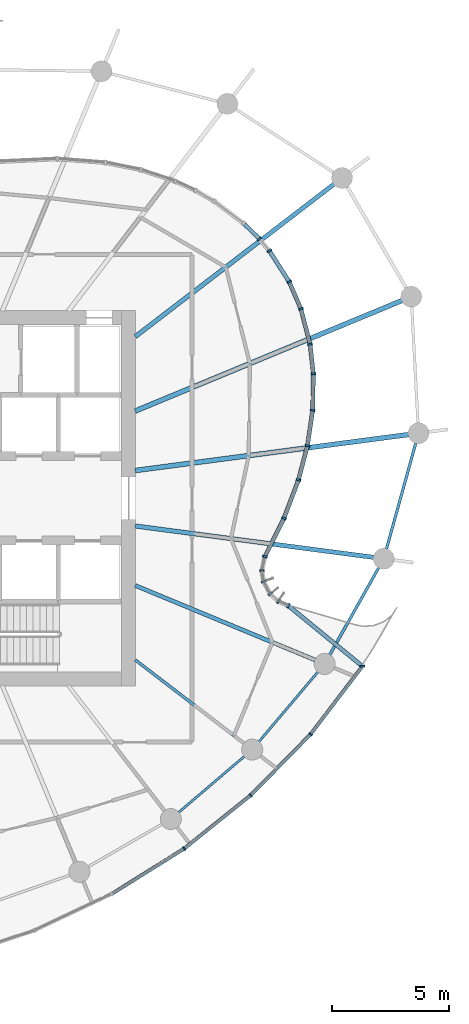
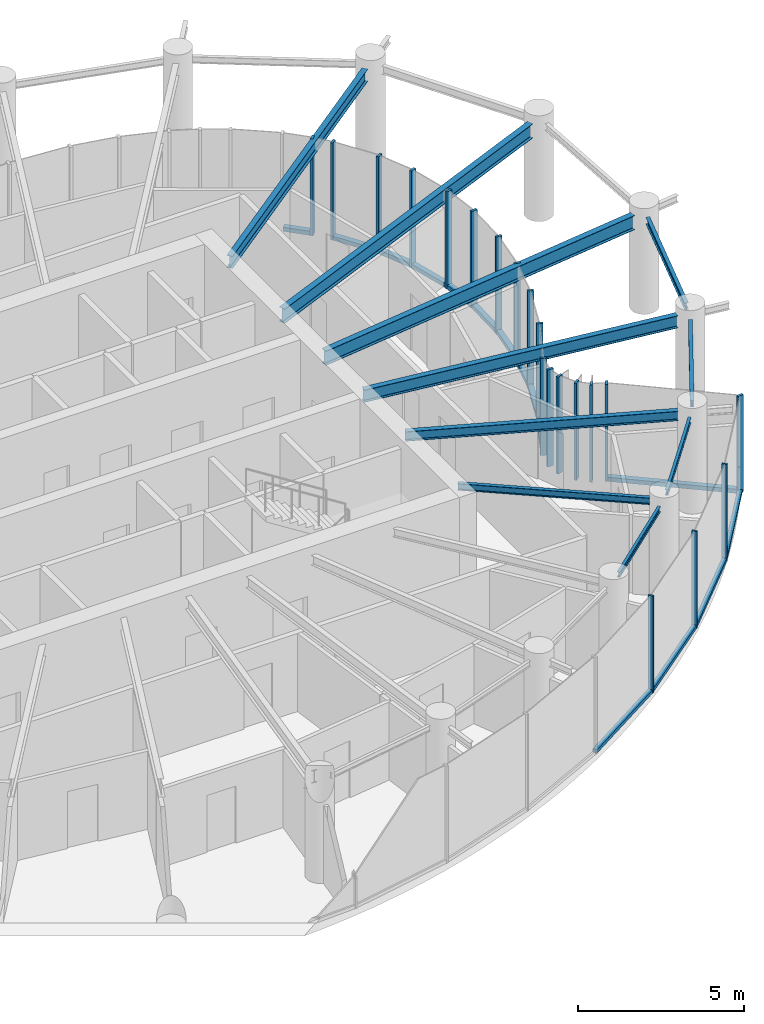
# One storey, part 5 of 17: 35 members, 10 beams, 5 elements without a shape of their own.
"""IFC4 building model written with IfcOpenShell, lengths in metres."""

from ifc_helpers import new_model, si_unit, direction, frame, origin, origin_2d, place, context, subcontext, project, spatial, rectangle, i_section, extrude, source, transform, mapped, material, layer, layer_set, material_profile, profile_set, type_object, element, aggregate, save


model = new_model("IFC4")

# Units and contexts
model_context = context("Model", 3, precision=1e-05, world=origin(), true_north=direction((0.0, 1.0)))
body_context = subcontext(model_context, "Body", "Model", "MODEL_VIEW")
ifc_project = project(units=[si_unit("LENGTHUNIT", "METRE"), si_unit("AREAUNIT", "SQUARE_METRE"), si_unit("VOLUMEUNIT", "CUBIC_METRE"), si_unit("PLANEANGLEUNIT", "RADIAN"), si_unit("MASSUNIT", "GRAM", prefix="KILO")], contexts=[model_context])

# Site, building, storey
site_placement = place(None, origin())
site = spatial("IfcSite", under=ifc_project, at=site_placement, CompositionType="ELEMENT")
building_placement = place(site_placement, origin())
building = spatial("IfcBuilding", under=site, at=building_placement, Name="Spindrift Exchange Tower", CompositionType="ELEMENT")
storey_placement = place(building_placement, frame((0.0, 0.0, 187.699951171875)))
storey = spatial("IfcBuildingStorey", under=building, at=storey_placement, Name="L45", CompositionType="ELEMENT", Elevation=187.699951171875)

# Beams
ifc_material_1 = material(Name="Steel Grade 300", Category="steel")
ifc_material_profile_1 = material_profile(ifc_material_1, i_section(OverallWidth=0.208984375, OverallDepth=0.528076171875, WebThickness=0.009521484375, FlangeThickness=0.01318359375, FilletRadius=0.013916015625, at=origin_2d()), Name="530UB82.0")
ifc_profile_set_1 = profile_set([ifc_material_profile_1], Name="Steel Grade 300")
beam_type_1 = type_object("IfcBeamType", Name="Floor Beam 530UB82.0 Steel Grade 300", PredefinedType="BEAM", material=ifc_profile_set_1)
shared_shape_1 = source(origin(), body_context, "Body", "SweptSolid", [
    extrude(i_section(OverallWidth=0.208984375, OverallDepth=0.528076171875, WebThickness=0.009521484375, FlangeThickness=0.01318359375, FilletRadius=0.013916015625, at=origin_2d()), origin(), (0.0, 0.0, 1.0), 11.75634765625),
])
beam_1_placement = place(storey_placement, frame((60.980224609375, 49.182373046875, 3.316162109375), z_axis=(0.991445811455, 0.13051897543, 0.0), x_axis=(-0.13051897543, 0.991445811455, 0.0)))
element("IfcBeam", 1, at=beam_1_placement, inside=storey, type_object=beam_type_1, Name="L45 radial beam R01A", PredefinedType="BEAM", context=body_context, shape_type="MappedRepresentation", body=[
    mapped(shared_shape_1, transform((0.0, 0.0, 0.0), scale=1.0)),
])
shared_shape_2 = source(origin(), body_context, "Body", "SweptSolid", [
    extrude(i_section(OverallWidth=0.208984375, OverallDepth=0.528076171875, WebThickness=0.009521484375, FlangeThickness=0.01318359375, FilletRadius=0.013916015625, at=origin_2d()), origin(), (0.0, 0.0, 1.0), 12.3115234375),
])
beam_2_placement = place(storey_placement, frame((60.9814453125, 51.72021484375, 3.316162109375), z_axis=(0.923878099838, 0.382686891126, 0.0), x_axis=(-0.382686891126, 0.923878099838, 0.0)))
element("IfcBeam", 2, at=beam_2_placement, inside=storey, type_object=beam_type_1, Name="L45 radial beam R02A", PredefinedType="BEAM", context=body_context, shape_type="MappedRepresentation", body=[
    mapped(shared_shape_2, transform((0.0, 0.0, 0.0), scale=1.0)),
])
ifc_material_profile_2 = material_profile(ifc_material_1, i_section(OverallWidth=0.18994140625, OverallDepth=0.4541015625, WebThickness=0.008544921875, FlangeThickness=0.0126953125, FilletRadius=0.013916015625, at=origin_2d()), Name="460UB67.1")
ifc_profile_set_2 = profile_set([ifc_material_profile_2], Name="Steel Grade 300")
beam_type_2 = type_object("IfcBeamType", Name="Floor Beam 460UB67.1 Steel Grade 300", PredefinedType="BEAM", material=ifc_profile_set_2)
shared_shape_3 = source(origin(), body_context, "Body", "SweptSolid", [
    extrude(i_section(OverallWidth=0.18994140625, OverallDepth=0.4541015625, WebThickness=0.008544921875, FlangeThickness=0.0126953125, FilletRadius=0.013916015625, at=origin_2d()), origin(), (0.0, 0.0, 1.0), 10.684814453125),
])
beam_3_placement = place(storey_placement, frame((60.984130859375, 54.893798828125, 3.35302734375), z_axis=(0.793357316898, 0.608756246559, 0.0), x_axis=(-0.608756246559, 0.793357316898, 0.0)))
element("IfcBeam", 3, at=beam_3_placement, inside=storey, type_object=beam_type_2, Name="L45 radial beam R03A", PredefinedType="BEAM", context=body_context, shape_type="MappedRepresentation", body=[
    mapped(shared_shape_3, transform((0.0, 0.0, 0.0), scale=1.0)),
])
ifc_material_profile_3 = material_profile(ifc_material_1, i_section(OverallWidth=0.1240234375, OverallDepth=0.248046875, WebThickness=0.0048828125, FlangeThickness=0.008056640625, FilletRadius=0.011962890625, at=origin_2d()), Name="250UB25.7")
ifc_profile_set_3 = profile_set([ifc_material_profile_3], Name="Steel Grade 300")
beam_type_3 = type_object("IfcBeamType", Name="Floor Beam 250UB25.7 Steel Grade 300", PredefinedType="BEAM", material=ifc_profile_set_3)
shared_shape_4 = source(origin(), body_context, "Body", "SweptSolid", [
    extrude(i_section(OverallWidth=0.1240234375, OverallDepth=0.248046875, WebThickness=0.0048828125, FlangeThickness=0.008056640625, FilletRadius=0.011962890625, at=origin_2d()), origin(), (0.0, 0.0, 1.0), 5.855712890625),
])
beam_4_placement = place(storey_placement, frame((60.984130859375, 41.106201171875, 3.4560546875), z_axis=(0.793362708479, -0.608749219954, 0.0), x_axis=(0.608749219954, 0.793362708479, 0.0)))
element("IfcBeam", 4, at=beam_4_placement, inside=storey, type_object=beam_type_3, Name="L45 radial beam R22A", PredefinedType="BEAM", context=body_context, shape_type="MappedRepresentation", body=[
    mapped(shared_shape_4, transform((0.0, 0.0, 0.0), scale=1.0)),
])
ifc_material_profile_4 = material_profile(ifc_material_1, i_section(OverallWidth=0.1708984375, OverallDepth=0.35205078125, WebThickness=0.0068359375, FlangeThickness=0.009765625, FilletRadius=0.013916015625, at=origin_2d()), Name="360UB44.7")
ifc_profile_set_4 = profile_set([ifc_material_profile_4], Name="Steel Grade 300")
beam_type_4 = type_object("IfcBeamType", Name="Floor Beam 360UB44.7 Steel Grade 300", PredefinedType="BEAM", material=ifc_profile_set_4)
shared_shape_5 = source(origin(), body_context, "Body", "SweptSolid", [
    extrude(i_section(OverallWidth=0.1708984375, OverallDepth=0.35205078125, WebThickness=0.0068359375, FlangeThickness=0.009765625, FilletRadius=0.013916015625, at=origin_2d()), origin(), (0.0, 0.0, 1.0), 8.3134765625),
])
beam_5_placement = place(storey_placement, frame((60.9814453125, 44.27978515625, 3.404052734375), z_axis=(0.923881179957, -0.382679455055, 0.0), x_axis=(0.382679455055, 0.923881179957, 0.0)))
element("IfcBeam", 5, at=beam_5_placement, inside=storey, type_object=beam_type_4, Name="L45 radial beam R23A", PredefinedType="BEAM", context=body_context, shape_type="MappedRepresentation", body=[
    mapped(shared_shape_5, transform((0.0, 0.0, 0.0), scale=1.0)),
])
shared_shape_6 = source(origin(), body_context, "Body", "SweptSolid", [
    extrude(i_section(OverallWidth=0.18994140625, OverallDepth=0.4541015625, WebThickness=0.008544921875, FlangeThickness=0.0126953125, FilletRadius=0.013916015625, at=origin_2d()), origin(), (0.0, 0.0, 1.0), 10.262451171875),
])
beam_6_placement = place(storey_placement, frame((60.980224609375, 46.817626953125, 3.35302734375), z_axis=(0.991446763371, -0.130511744304, 0.0), x_axis=(0.130511744304, 0.991446763371, 0.0)))
element("IfcBeam", 6, at=beam_6_placement, inside=storey, type_object=beam_type_2, Name="L45 radial beam R24A", PredefinedType="BEAM", context=body_context, shape_type="MappedRepresentation", body=[
    mapped(shared_shape_6, transform((0.0, 0.0, 0.0), scale=1.0)),
])
ifc_material_profile_5 = material_profile(ifc_material_1, i_section(OverallWidth=0.09912109375, OverallDepth=0.197998046875, WebThickness=0.00439453125, FlangeThickness=0.007080078125, FilletRadius=0.010986328125, at=origin_2d()), Name="200UB18.2")
ifc_profile_set_5 = profile_set([ifc_material_profile_5], Name="Steel Grade 300")
beam_type_5 = type_object("IfcBeamType", Name="Edge Beam 200UB18.2 Steel Grade 300", PredefinedType="SPANDREL", material=ifc_profile_set_5)
shared_shape_7 = source(origin(), body_context, "Body", "SweptSolid", [
    extrude(i_section(OverallWidth=0.09912109375, OverallDepth=0.197998046875, WebThickness=0.00439453125, FlangeThickness=0.007080078125, FilletRadius=0.010986328125, at=origin_2d()), origin(), (0.0, 0.0, 1.0), 3.703857421875),
])
beam_7_placement = place(storey_placement, frame((62.826416015625, 34.59619140625, 3.48095703125), z_axis=(0.7606692863, 0.64913961278, 0.0), x_axis=(-0.64913961278, 0.7606692863, 0.0)))
element("IfcBeam", 7, at=beam_7_placement, inside=storey, type_object=beam_type_5, Name="L45 edge beam E21", PredefinedType="SPANDREL", context=body_context, shape_type="MappedRepresentation", body=[
    mapped(shared_shape_7, transform((0.0, 0.0, 0.0), scale=1.0)),
])
shared_shape_8 = source(origin(), body_context, "Body", "SweptSolid", [
    extrude(i_section(OverallWidth=0.09912109375, OverallDepth=0.197998046875, WebThickness=0.00439453125, FlangeThickness=0.007080078125, FilletRadius=0.010986328125, at=origin_2d()), origin(), (0.0, 0.0, 1.0), 3.92431640625),
])
beam_8_placement = place(storey_placement, frame((66.24853515625, 37.608154296875, 3.48095703125), z_axis=(0.645498720032, 0.763761351757, 0.0), x_axis=(-0.763761351757, 0.645498720032, 0.0)))
element("IfcBeam", 8, at=beam_8_placement, inside=storey, type_object=beam_type_5, Name="L45 edge beam E22", PredefinedType="SPANDREL", context=body_context, shape_type="MappedRepresentation", body=[
    mapped(shared_shape_8, transform((0.0, 0.0, 0.0), scale=1.0)),
])
ifc_material_profile_6 = material_profile(ifc_material_1, i_section(OverallWidth=0.1240234375, OverallDepth=0.248046875, WebThickness=0.0048828125, FlangeThickness=0.008056640625, FilletRadius=0.011962890625, at=origin_2d()), Name="250UB25.7")
ifc_profile_set_6 = profile_set([ifc_material_profile_6], Name="Steel Grade 300")
beam_type_6 = type_object("IfcBeamType", Name="Edge Beam 250UB25.7 Steel Grade 300", PredefinedType="SPANDREL", material=ifc_profile_set_6)
shared_shape_9 = source(origin(), body_context, "Body", "SweptSolid", [
    extrude(i_section(OverallWidth=0.1240234375, OverallDepth=0.248046875, WebThickness=0.0048828125, FlangeThickness=0.008056640625, FilletRadius=0.011962890625, at=origin_2d()), origin(), (0.0, 0.0, 1.0), 4.2880859375),
])
beam_9_placement = place(storey_placement, frame((69.27001953125, 41.30859375, 3.4560546875), z_axis=(0.489804347673, 0.871832381253, 0.0), x_axis=(-0.871832381253, 0.489804347673, 0.0)))
element("IfcBeam", 9, at=beam_9_placement, inside=storey, type_object=beam_type_6, Name="L45 edge beam E23", PredefinedType="SPANDREL", context=body_context, shape_type="MappedRepresentation", body=[
    mapped(shared_shape_9, transform((0.0, 0.0, 0.0), scale=1.0)),
])
shared_shape_10 = source(origin(), body_context, "Body", "SweptSolid", [
    extrude(i_section(OverallWidth=0.1240234375, OverallDepth=0.248046875, WebThickness=0.0048828125, FlangeThickness=0.008056640625, FilletRadius=0.011962890625, at=origin_2d()), origin(), (0.0, 0.0, 1.0), 4.69189453125),
])
beam_10_placement = place(storey_placement, frame((71.69580078125, 45.83642578125, 3.4560546875), z_axis=(0.266774248618, 0.963759046792, 0.0), x_axis=(-0.963759046792, 0.266774248618, 0.0)))
element("IfcBeam", 10, at=beam_10_placement, inside=storey, type_object=beam_type_6, Name="L45 edge beam E24", PredefinedType="SPANDREL", context=body_context, shape_type="MappedRepresentation", body=[
    mapped(shared_shape_10, transform((0.0, 0.0, 0.0), scale=1.0)),
])

# Curtain wall, members
ifc_material_2 = material(Name="Fritted laminated glass with bronze frame", Category="glass")
ifc_layer_1 = layer(ifc_material_2, 0.199951171875)
ifc_layer_set_1 = layer_set([ifc_layer_1], Name="SKY GARDEN BRONZE GLAZED WALL")
curtain_wall_type_1 = type_object("IfcCurtainWallType", Name="SKY GARDEN BRONZE GLAZED WALL", PredefinedType="NOTDEFINED", material=ifc_layer_set_1)
curtain_wall_1_placement = place(storey_placement, origin())
curtain_wall_1 = element("IfcCurtainWall", 11, at=curtain_wall_1_placement, inside=storey, type_object=curtain_wall_type_1, Name="L45 Sky Garden Bronze Glazed Wall run 6", PredefinedType="NOTDEFINED")
ifc_material_3 = material(Name="Bronze anodised aluminium", Category="aluminium")
ifc_material_profile_7 = material_profile(ifc_material_3, rectangle(XDim=0.0849609375, YDim=0.199951171875, at=origin_2d()), Name="SKY GARDEN BRONZE GLAZED WALL MULLION 85X200")
ifc_profile_set_7 = profile_set([ifc_material_profile_7], Name="Bronze anodised aluminium")
member_type_1 = type_object("IfcMemberType", Name="SKY GARDEN BRONZE GLAZED WALL MULLION 85X200", PredefinedType="MULLION", material=ifc_profile_set_7)
shared_shape_11 = source(origin(), body_context, "Body", "SweptSolid", [
    extrude(rectangle(XDim=0.0849609375, YDim=0.199951171875, at=origin_2d()), origin(), (0.0, 0.0, 1.0), 3.580078125),
])
member_1_placement = place(storey_placement, frame((70.669189453125, 40.835693359375, 0.0), z_axis=(0.0, 0.0, 1.0), x_axis=(-0.116946884335, 0.993138170772, 0.0)))
member_1 = element("IfcMember", 12, at=member_1_placement, type_object=member_type_1, Name="L45 mullion CW-G.26", PredefinedType="MULLION", context=body_context, shape_type="MappedRepresentation", body=[
    mapped(shared_shape_11, transform((0.0, 0.0, 0.0), scale=1.0)),
])
member_2_placement = place(storey_placement, frame((67.507568359375, 43.42041015625, 0.0), z_axis=(0.0, 0.0, 1.0), x_axis=(-0.847481532658, 0.530824878659, 0.0)))
member_2 = element("IfcMember", 13, at=member_2_placement, type_object=member_type_1, Name="L45 mullion CW-G.27", PredefinedType="MULLION", context=body_context, shape_type="MappedRepresentation", body=[
    mapped(shared_shape_11, transform((0.0, 0.0, 0.0), scale=1.0)),
])
member_3_placement = place(storey_placement, frame((67.088134765625, 43.614501953125, 0.0), z_axis=(0.0, 0.0, 1.0), x_axis=(-0.834816074667, 0.550528946994, 0.0)))
member_3 = element("IfcMember", 14, at=member_3_placement, type_object=member_type_1, Name="L45 mullion CW-G.28", PredefinedType="MULLION", context=body_context, shape_type="MappedRepresentation", body=[
    mapped(shared_shape_11, transform((0.0, 0.0, 0.0), scale=1.0)),
])
member_4_placement = place(storey_placement, frame((66.74609375, 43.921875, 0.0), z_axis=(0.0, 0.0, 1.0), x_axis=(-0.61764996175, 0.786453129404, 0.0)))
member_4 = element("IfcMember", 15, at=member_4_placement, type_object=member_type_1, Name="L45 mullion CW-G.29", PredefinedType="MULLION", context=body_context, shape_type="MappedRepresentation", body=[
    mapped(shared_shape_11, transform((0.0, 0.0, 0.0), scale=1.0)),
])
member_5_placement = place(storey_placement, frame((66.459228515625, 44.4560546875, 0.0), z_axis=(0.0, 0.0, 1.0), x_axis=(-0.314574145188, 0.949232904602, 0.0)))
member_5 = element("IfcMember", 16, at=member_5_placement, type_object=member_type_1, Name="L45 mullion CW-G.30", PredefinedType="MULLION", context=body_context, shape_type="MappedRepresentation", body=[
    mapped(shared_shape_11, transform((0.0, 0.0, 0.0), scale=1.0)),
])
member_6_placement = place(storey_placement, frame((66.391845703125, 44.910888671875, 0.0), z_axis=(0.0, 0.0, 1.0), x_axis=(0.026479361045, 0.999649360245, 0.0)))
member_6 = element("IfcMember", 17, at=member_6_placement, type_object=member_type_1, Name="L45 mullion CW-G.31", PredefinedType="MULLION", context=body_context, shape_type="MappedRepresentation", body=[
    mapped(shared_shape_11, transform((0.0, 0.0, 0.0), scale=1.0)),
])

curtain_wall_2_placement = place(storey_placement, origin())
curtain_wall_2 = element("IfcCurtainWall", 18, at=curtain_wall_2_placement, inside=storey, type_object=curtain_wall_type_1, Name="L45 Sky Garden Bronze Glazed Wall run 7", PredefinedType="NOTDEFINED")
member_7_placement = place(storey_placement, frame((66.513427734375, 45.509765625, 0.0), z_axis=(0.0, 0.0, 1.0), x_axis=(0.324054118501, 0.946038544819, 0.0)))
member_7 = element("IfcMember", 19, at=member_7_placement, type_object=member_type_1, Name="L45 mullion CW-G.32", PredefinedType="MULLION", context=body_context, shape_type="MappedRepresentation", body=[
    mapped(shared_shape_11, transform((0.0, 0.0, 0.0), scale=1.0)),
])
member_8_placement = place(storey_placement, frame((67.323974609375, 47.14599609375, 0.0), z_axis=(0.0, 0.0, 1.0), x_axis=(0.399499540022, 0.916733395007, 0.0)))
member_8 = element("IfcMember", 20, at=member_8_placement, type_object=member_type_1, Name="L45 mullion CW-G.33", PredefinedType="MULLION", context=body_context, shape_type="MappedRepresentation", body=[
    mapped(shared_shape_11, transform((0.0, 0.0, 0.0), scale=1.0)),
])
member_9_placement = place(storey_placement, frame((67.943603515625, 48.78271484375, 0.0), z_axis=(0.0, 0.0, 1.0), x_axis=(0.304447107295, 0.952529243047, 0.0)))
member_9 = element("IfcMember", 21, at=member_9_placement, type_object=member_type_1, Name="L45 mullion CW-G.34", PredefinedType="MULLION", context=body_context, shape_type="MappedRepresentation", body=[
    mapped(shared_shape_11, transform((0.0, 0.0, 0.0), scale=1.0)),
])
member_10_placement = place(storey_placement, frame((68.325927734375, 50.23876953125, 0.0), z_axis=(0.0, 0.0, 1.0), x_axis=(0.200170488119, 0.97976108092, 0.0)))
member_10 = element("IfcMember", 22, at=member_10_placement, type_object=member_type_1, Name="L45 mullion CW-G.35", PredefinedType="MULLION", context=body_context, shape_type="MappedRepresentation", body=[
    mapped(shared_shape_11, transform((0.0, 0.0, 0.0), scale=1.0)),
])
member_11_placement = place(storey_placement, frame((68.547607421875, 51.7431640625, 0.0), z_axis=(0.0, 0.0, 1.0), x_axis=(0.083043668064, 0.996545909226, 0.0)))
member_11 = element("IfcMember", 23, at=member_11_placement, type_object=member_type_1, Name="L45 mullion CW-G.36", PredefinedType="MULLION", context=body_context, shape_type="MappedRepresentation", body=[
    mapped(shared_shape_11, transform((0.0, 0.0, 0.0), scale=1.0)),
])
member_12_placement = place(storey_placement, frame((68.57861328125, 53.301513671875, 0.0), z_axis=(0.0, 0.0, 1.0), x_axis=(-0.045195735193, 0.998978150672, 0.0)))
member_12 = element("IfcMember", 24, at=member_12_placement, type_object=member_type_1, Name="L45 mullion CW-G.37", PredefinedType="MULLION", context=body_context, shape_type="MappedRepresentation", body=[
    mapped(shared_shape_11, transform((0.0, 0.0, 0.0), scale=1.0)),
])

curtain_wall_3_placement = place(storey_placement, origin())
curtain_wall_3 = element("IfcCurtainWall", 25, at=curtain_wall_3_placement, inside=storey, type_object=curtain_wall_type_1, Name="L45 Sky Garden Bronze Glazed Wall run 8", PredefinedType="NOTDEFINED")
member_13_placement = place(storey_placement, frame((68.43798828125, 54.57275390625, 0.0), z_axis=(0.0, 0.0, 1.0), x_axis=(-0.181068455091, 0.983470495018, 0.0)))
member_13 = element("IfcMember", 26, at=member_13_placement, type_object=member_type_1, Name="L45 mullion CW-G.38", PredefinedType="MULLION", context=body_context, shape_type="MappedRepresentation", body=[
    mapped(shared_shape_11, transform((0.0, 0.0, 0.0), scale=1.0)),
])
member_14_placement = place(storey_placement, frame((68.048583984375, 56.0732421875, 0.0), z_axis=(0.0, 0.0, 1.0), x_axis=(-0.324529949087, 0.945875421049, 0.0)))
member_14 = element("IfcMember", 27, at=member_14_placement, type_object=member_type_1, Name="L45 mullion CW-G.39", PredefinedType="MULLION", context=body_context, shape_type="MappedRepresentation", body=[
    mapped(shared_shape_11, transform((0.0, 0.0, 0.0), scale=1.0)),
])
member_15_placement = place(storey_placement, frame((67.5498046875, 57.229736328125, 0.0), z_axis=(0.0, 0.0, 1.0), x_axis=(-0.468923372773, 0.883238852444, 0.0)))
member_15 = element("IfcMember", 28, at=member_15_placement, type_object=member_type_1, Name="L45 mullion CW-G.40", PredefinedType="MULLION", context=body_context, shape_type="MappedRepresentation", body=[
    mapped(shared_shape_11, transform((0.0, 0.0, 0.0), scale=1.0)),
])
member_16_placement = place(storey_placement, frame((66.7021484375, 58.555419921875, 0.0), z_axis=(0.0, 0.0, 1.0), x_axis=(-0.591655299277, 0.806191048597, 0.0)))
member_16 = element("IfcMember", 29, at=member_16_placement, type_object=member_type_1, Name="L45 mullion CW-G.41", PredefinedType="MULLION", context=body_context, shape_type="MappedRepresentation", body=[
    mapped(shared_shape_11, transform((0.0, 0.0, 0.0), scale=1.0)),
])
member_17_placement = place(storey_placement, frame((66.280517578125, 59.05859375, 0.0), z_axis=(0.0, 0.0, 1.0), x_axis=(-0.676129031463, 0.736783233259, 0.0)))
member_17 = element("IfcMember", 30, at=member_17_placement, type_object=member_type_1, Name="L45 mullion CW-G.42", PredefinedType="MULLION", context=body_context, shape_type="MappedRepresentation", body=[
    mapped(shared_shape_11, transform((0.0, 0.0, 0.0), scale=1.0)),
])

ifc_layer_2 = layer(ifc_material_2, 0.169921875)
ifc_layer_set_2 = layer_set([ifc_layer_2], Name="ZONE 4 BRONZE FRITTED WALL")
curtain_wall_type_2 = type_object("IfcCurtainWallType", Name="ZONE 4 BRONZE FRITTED WALL", PredefinedType="NOTDEFINED", material=ifc_layer_set_2)
curtain_wall_4_placement = place(storey_placement, origin())
curtain_wall_4 = element("IfcCurtainWall", 31, at=curtain_wall_4_placement, inside=storey, type_object=curtain_wall_type_2, Name="L45 Zone 4 Bronze Fritted Wall run 4", PredefinedType="NOTDEFINED")
ifc_material_profile_8 = material_profile(ifc_material_3, rectangle(XDim=0.14990234375, YDim=0.125, at=origin_2d()), Name="ZONE 4 BRONZE FRITTED WALL TRANSOM 150X125")
ifc_profile_set_8 = profile_set([ifc_material_profile_8], Name="Bronze anodised aluminium")
member_type_2 = type_object("IfcMemberType", Name="ZONE 4 BRONZE FRITTED WALL TRANSOM 150X125", PredefinedType="USERDEFINED", material=ifc_profile_set_8)
shared_shape_12 = source(origin(), body_context, "Body", "SweptSolid", [
    extrude(rectangle(XDim=0.14990234375, YDim=0.125, at=origin_2d()), origin(), (0.0, 0.0, 1.0), 3.57763671875),
])
member_18_placement = place(storey_placement, frame((60.009033203125, 31.14306640625, 0.0625), z_axis=(0.847522593345, 0.530759318119, 0.0), x_axis=(-0.530759318119, 0.847522593345, 0.0)))
member_18 = element("IfcMember", 32, at=member_18_placement, type_object=member_type_2, Name="L45 transom CW-4.22", ObjectType="TRANSOM", PredefinedType="USERDEFINED", context=body_context, shape_type="MappedRepresentation", body=[
    mapped(shared_shape_12, transform((0.0, 0.0, 0.0), scale=1.0)),
])
member_19_placement = place(storey_placement, frame((65.933349609375, 35.361572265625, 0.0625), z_axis=(0.70035313479, 0.713796530245, 0.0), x_axis=(-0.713796530245, 0.70035313479, 0.0)))
member_19 = element("IfcMember", 33, at=member_19_placement, type_object=member_type_2, Name="L45 transom CW-4.24", ObjectType="TRANSOM", PredefinedType="USERDEFINED", context=body_context, shape_type="MappedRepresentation", body=[
    mapped(shared_shape_12, transform((0.0, 0.0, 0.0), scale=1.0)),
])

# Curtain wall, member
curtain_wall_5_placement = place(storey_placement, origin())
curtain_wall_5 = element("IfcCurtainWall", 34, at=curtain_wall_5_placement, inside=storey, type_object=curtain_wall_type_2, Name="L45 Zone 4 Bronze Fritted Wall run 5", PredefinedType="NOTDEFINED")
shared_shape_13 = source(origin(), body_context, "Body", "SweptSolid", [
    extrude(rectangle(XDim=0.14990234375, YDim=0.125, at=origin_2d()), origin(), (0.0, 0.0, 1.0), 3.5771484375),
])
member_20_placement = place(storey_placement, frame((68.4814453125, 37.96435546875, 0.0625), z_axis=(0.606043215263, 0.795431720032, 0.0), x_axis=(-0.795431720032, 0.606043215263, 0.0)))
member_20 = element("IfcMember", 35, at=member_20_placement, type_object=member_type_2, Name="L45 transom CW-4.25", ObjectType="TRANSOM", PredefinedType="USERDEFINED", context=body_context, shape_type="MappedRepresentation", body=[
    mapped(shared_shape_13, transform((0.0, 0.0, 0.0), scale=1.0)),
])

# Member
ifc_material_profile_9 = material_profile(ifc_material_3, rectangle(XDim=0.179931640625, YDim=0.14990234375, at=origin_2d()), Name="SKY GARDEN BRONZE GLAZED WALL TRANSOM 180X150")
ifc_profile_set_9 = profile_set([ifc_material_profile_9], Name="Bronze anodised aluminium")
member_type_3 = type_object("IfcMemberType", Name="SKY GARDEN BRONZE GLAZED WALL TRANSOM 180X150", PredefinedType="USERDEFINED", material=ifc_profile_set_9)
shared_shape_14 = source(origin(), body_context, "Body", "SweptSolid", [
    extrude(rectangle(XDim=0.179931640625, YDim=0.14990234375, at=origin_2d()), origin(), (0.0, 0.0, 1.0), 1.6650390625),
])
member_21_placement = place(storey_placement, frame((67.3388671875, 47.185791015625, 0.074951171875), z_axis=(0.354238719339, 0.935155029779, 0.0), x_axis=(-0.935155029779, 0.354238719339, 0.0)))
member_21 = element("IfcMember", 36, at=member_21_placement, type_object=member_type_3, Name="L45 transom CW-G.33", ObjectType="TRANSOM", PredefinedType="USERDEFINED", context=body_context, shape_type="MappedRepresentation", body=[
    mapped(shared_shape_14, transform((0.0, 0.0, 0.0), scale=1.0)),
])

shared_shape_15 = source(origin(), body_context, "Body", "SweptSolid", [
    extrude(rectangle(XDim=0.179931640625, YDim=0.14990234375, at=origin_2d()), origin(), (0.0, 0.0, 1.0), 1.194091796875),
])
member_22_placement = place(storey_placement, frame((68.573974609375, 53.34375, 0.074951171875), z_axis=(-0.110005120147, 0.993931020515, 0.0), x_axis=(-0.993931020515, -0.110005120147, 0.0)))
member_22 = element("IfcMember", 37, at=member_22_placement, type_object=member_type_3, Name="L45 transom CW-G.37", ObjectType="TRANSOM", PredefinedType="USERDEFINED", context=body_context, shape_type="MappedRepresentation", body=[
    mapped(shared_shape_15, transform((0.0, 0.0, 0.0), scale=1.0)),
])

ifc_material_profile_10 = material_profile(ifc_material_3, rectangle(XDim=0.06494140625, YDim=0.169921875, at=origin_2d()), Name="ZONE 4 BRONZE FRITTED WALL MULLION 65X170")
ifc_profile_set_10 = profile_set([ifc_material_profile_10], Name="Bronze anodised aluminium")
member_type_4 = type_object("IfcMemberType", Name="ZONE 4 BRONZE FRITTED WALL MULLION 65X170", PredefinedType="MULLION", material=ifc_profile_set_10)
shared_shape_16 = source(origin(), body_context, "Body", "SweptSolid", [
    extrude(rectangle(XDim=0.06494140625, YDim=0.169921875, at=origin_2d()), origin(), (0.0, 0.0, 1.0), 3.580078125),
])
member_23_placement = place(storey_placement, frame((63.068603515625, 33.059326171875, 0.0), z_axis=(0.0, 0.0, 1.0), x_axis=(0.815181416655, 0.579205712973, 0.0)))
member_23 = element("IfcMember", 38, at=member_23_placement, type_object=member_type_4, Name="L45 mullion CW-4.23", PredefinedType="MULLION", context=body_context, shape_type="MappedRepresentation", body=[
    mapped(shared_shape_16, transform((0.0, 0.0, 0.0), scale=1.0)),
])

member_24_placement = place(storey_placement, frame((65.910400390625, 35.33837890625, 0.0), z_axis=(0.0, 0.0, 1.0), x_axis=(0.741560440741, 0.670886065385, 0.0)))
member_24 = element("IfcMember", 39, at=member_24_placement, type_object=member_type_4, Name="L45 mullion CW-4.24", PredefinedType="MULLION", context=body_context, shape_type="MappedRepresentation", body=[
    mapped(shared_shape_16, transform((0.0, 0.0, 0.0), scale=1.0)),
])

member_25_placement = place(storey_placement, frame((68.4619140625, 37.9384765625, 0.0), z_axis=(0.0, 0.0, 1.0), x_axis=(0.654486566267, 0.756073630393, 0.0)))
member_25 = element("IfcMember", 40, at=member_25_placement, type_object=member_type_4, Name="L45 mullion CW-4.25", PredefinedType="MULLION", context=body_context, shape_type="MappedRepresentation", body=[
    mapped(shared_shape_16, transform((0.0, 0.0, 0.0), scale=1.0)),
])

aggregate(curtain_wall_5, [member_25, member_20])

shared_shape_17 = source(origin(), body_context, "Body", "SweptSolid", [
    extrude(rectangle(XDim=0.14990234375, YDim=0.125, at=origin_2d()), origin(), (0.0, 0.0, 1.0), 3.578125),
])
member_26_placement = place(storey_placement, frame((63.093994140625, 33.07958984375, 0.0625), z_axis=(0.78011600826, 0.625634888458, 0.0), x_axis=(-0.625634888458, 0.78011600826, 0.0)))
member_26 = element("IfcMember", 41, at=member_26_placement, type_object=member_type_2, Name="L45 transom CW-4.23", ObjectType="TRANSOM", PredefinedType="USERDEFINED", context=body_context, shape_type="MappedRepresentation", body=[
    mapped(shared_shape_17, transform((0.0, 0.0, 0.0), scale=1.0)),
])

aggregate(curtain_wall_4, [member_18, member_23, member_26, member_24, member_19])

shared_shape_18 = source(origin(), body_context, "Body", "SweptSolid", [
    extrude(rectangle(XDim=0.179931640625, YDim=0.14990234375, at=origin_2d()), origin(), (0.0, 0.0, 1.0), 3.998779296875),
])
member_27_placement = place(storey_placement, frame((70.63623046875, 40.862548828125, 0.074951171875), z_axis=(-0.774237411108, 0.632895276677, 0.0), x_axis=(-0.632895276677, -0.774237411108, 0.0)))
member_27 = element("IfcMember", 42, at=member_27_placement, type_object=member_type_3, Name="L45 transom CW-G.26", ObjectType="TRANSOM", PredefinedType="USERDEFINED", context=body_context, shape_type="MappedRepresentation", body=[
    mapped(shared_shape_18, transform((0.0, 0.0, 0.0), scale=1.0)),
])

aggregate(curtain_wall_1, [member_1, member_27, member_2, member_3, member_4, member_5, member_6])

shared_shape_19 = source(origin(), body_context, "Body", "SweptSolid", [
    extrude(rectangle(XDim=0.179931640625, YDim=0.14990234375, at=origin_2d()), origin(), (0.0, 0.0, 1.0), 1.740966796875),
])
member_28_placement = place(storey_placement, frame((66.5322265625, 45.5478515625, 0.074951171875), z_axis=(0.443844781699, 0.896103682482, 0.0), x_axis=(-0.896103682482, 0.443844781699, 0.0)))
member_28 = element("IfcMember", 43, at=member_28_placement, type_object=member_type_3, Name="L45 transom CW-G.32", ObjectType="TRANSOM", PredefinedType="USERDEFINED", context=body_context, shape_type="MappedRepresentation", body=[
    mapped(shared_shape_19, transform((0.0, 0.0, 0.0), scale=1.0)),
])

shared_shape_20 = source(origin(), body_context, "Body", "SweptSolid", [
    extrude(rectangle(XDim=0.179931640625, YDim=0.14990234375, at=origin_2d()), origin(), (0.0, 0.0, 1.0), 1.420654296875),
])
member_29_placement = place(storey_placement, frame((67.95458984375, 48.82373046875, 0.074951171875), z_axis=(0.253841853545, 0.967245735782, 0.0), x_axis=(-0.967245735782, 0.253841853545, 0.0)))
member_29 = element("IfcMember", 44, at=member_29_placement, type_object=member_type_3, Name="L45 transom CW-G.34", ObjectType="TRANSOM", PredefinedType="USERDEFINED", context=body_context, shape_type="MappedRepresentation", body=[
    mapped(shared_shape_20, transform((0.0, 0.0, 0.0), scale=1.0)),
])

shared_shape_21 = source(origin(), body_context, "Body", "SweptSolid", [
    extrude(rectangle(XDim=0.179931640625, YDim=0.14990234375, at=origin_2d()), origin(), (0.0, 0.0, 1.0), 1.435791015625),
])
member_30_placement = place(storey_placement, frame((68.33203125, 50.28076171875, 0.074951171875), z_axis=(0.145895396825, 0.989300021826, 0.0), x_axis=(-0.989300021826, 0.145895396825, 0.0)))
member_30 = element("IfcMember", 45, at=member_30_placement, type_object=member_type_3, Name="L45 transom CW-G.35", ObjectType="TRANSOM", PredefinedType="USERDEFINED", context=body_context, shape_type="MappedRepresentation", body=[
    mapped(shared_shape_21, transform((0.0, 0.0, 0.0), scale=1.0)),
])

shared_shape_22 = source(origin(), body_context, "Body", "SweptSolid", [
    extrude(rectangle(XDim=0.179931640625, YDim=0.14990234375, at=origin_2d()), origin(), (0.0, 0.0, 1.0), 1.4736328125),
])
member_31_placement = place(storey_placement, frame((68.548583984375, 51.78564453125, 0.074951171875), z_axis=(0.019880080298, 0.999802371675, 0.0), x_axis=(-0.999802371675, 0.019880080298, 0.0)))
member_31 = element("IfcMember", 46, at=member_31_placement, type_object=member_type_3, Name="L45 transom CW-G.36", ObjectType="TRANSOM", PredefinedType="USERDEFINED", context=body_context, shape_type="MappedRepresentation", body=[
    mapped(shared_shape_22, transform((0.0, 0.0, 0.0), scale=1.0)),
])

aggregate(curtain_wall_2, [member_7, member_28, member_8, member_21, member_9, member_29, member_10, member_30, member_11, member_31, member_12, member_22])

shared_shape_23 = source(origin(), body_context, "Body", "SweptSolid", [
    extrude(rectangle(XDim=0.179931640625, YDim=0.14990234375, at=origin_2d()), origin(), (0.0, 0.0, 1.0), 1.46533203125),
])
member_32_placement = place(storey_placement, frame((68.42724609375, 54.61376953125, 0.074951171875), z_axis=(-0.251072012924, 0.96796841081, 0.0), x_axis=(-0.96796841081, -0.251072012924, 0.0)))
member_32 = element("IfcMember", 47, at=member_32_placement, type_object=member_type_3, Name="L45 transom CW-G.38", ObjectType="TRANSOM", PredefinedType="USERDEFINED", context=body_context, shape_type="MappedRepresentation", body=[
    mapped(shared_shape_23, transform((0.0, 0.0, 0.0), scale=1.0)),
])

shared_shape_24 = source(origin(), body_context, "Body", "SweptSolid", [
    extrude(rectangle(XDim=0.179931640625, YDim=0.14990234375, at=origin_2d()), origin(), (0.0, 0.0, 1.0), 1.17431640625),
])
member_33_placement = place(storey_placement, frame((68.03173828125, 56.1123046875, 0.074951171875), z_axis=(-0.396025812848, 0.918239378135, 0.0), x_axis=(-0.918239378135, -0.396025812848, 0.0)))
member_33 = element("IfcMember", 48, at=member_33_placement, type_object=member_type_3, Name="L45 transom CW-G.39", ObjectType="TRANSOM", PredefinedType="USERDEFINED", context=body_context, shape_type="MappedRepresentation", body=[
    mapped(shared_shape_24, transform((0.0, 0.0, 0.0), scale=1.0)),
])

shared_shape_25 = source(origin(), body_context, "Body", "SweptSolid", [
    extrude(rectangle(XDim=0.179931640625, YDim=0.14990234375, at=origin_2d()), origin(), (0.0, 0.0, 1.0), 1.48828125),
])
member_34_placement = place(storey_placement, frame((67.52685546875, 57.265625, 0.074951171875), z_axis=(-0.538699878532, 0.842497739385, 0.0), x_axis=(-0.842497739385, -0.538699878532, 0.0)))
member_34 = element("IfcMember", 49, at=member_34_placement, type_object=member_type_3, Name="L45 transom CW-G.40", ObjectType="TRANSOM", PredefinedType="USERDEFINED", context=body_context, shape_type="MappedRepresentation", body=[
    mapped(shared_shape_25, transform((0.0, 0.0, 0.0), scale=1.0)),
])

shared_shape_26 = source(origin(), body_context, "Body", "SweptSolid", [
    extrude(rectangle(XDim=0.179931640625, YDim=0.14990234375, at=origin_2d()), origin(), (0.0, 0.0, 1.0), 0.85986328125),
])
member_35_placement = place(storey_placement, frame((66.25048828125, 59.088623046875, 0.074951171875), z_axis=(-0.708666621987, 0.705543491842, 0.0), x_axis=(-0.705543491842, -0.708666621987, 0.0)))
member_35 = element("IfcMember", 50, at=member_35_placement, type_object=member_type_3, Name="L45 transom CW-G.42", ObjectType="TRANSOM", PredefinedType="USERDEFINED", context=body_context, shape_type="MappedRepresentation", body=[
    mapped(shared_shape_26, transform((0.0, 0.0, 0.0), scale=1.0)),
])

aggregate(curtain_wall_3, [member_13, member_32, member_14, member_33, member_15, member_34, member_16, member_17, member_35])

save(model, "model.ifc")
